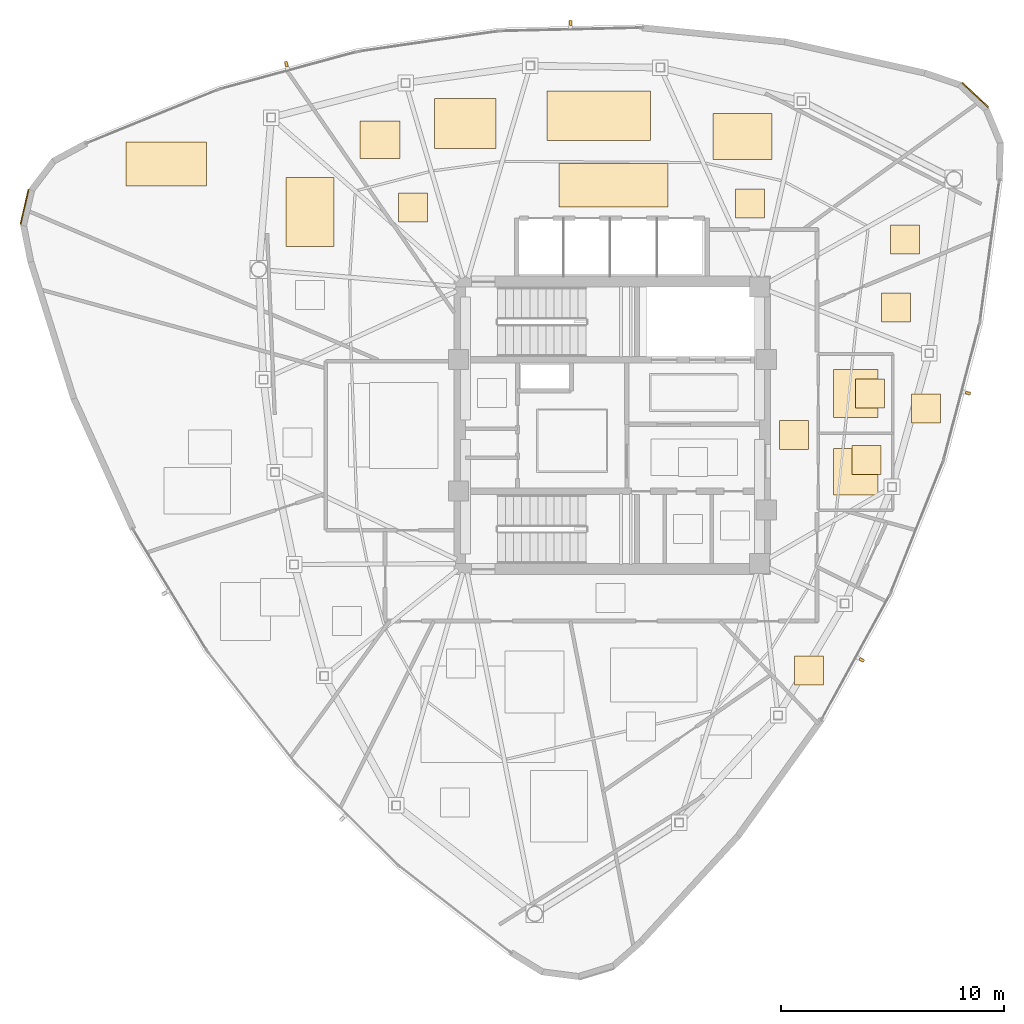
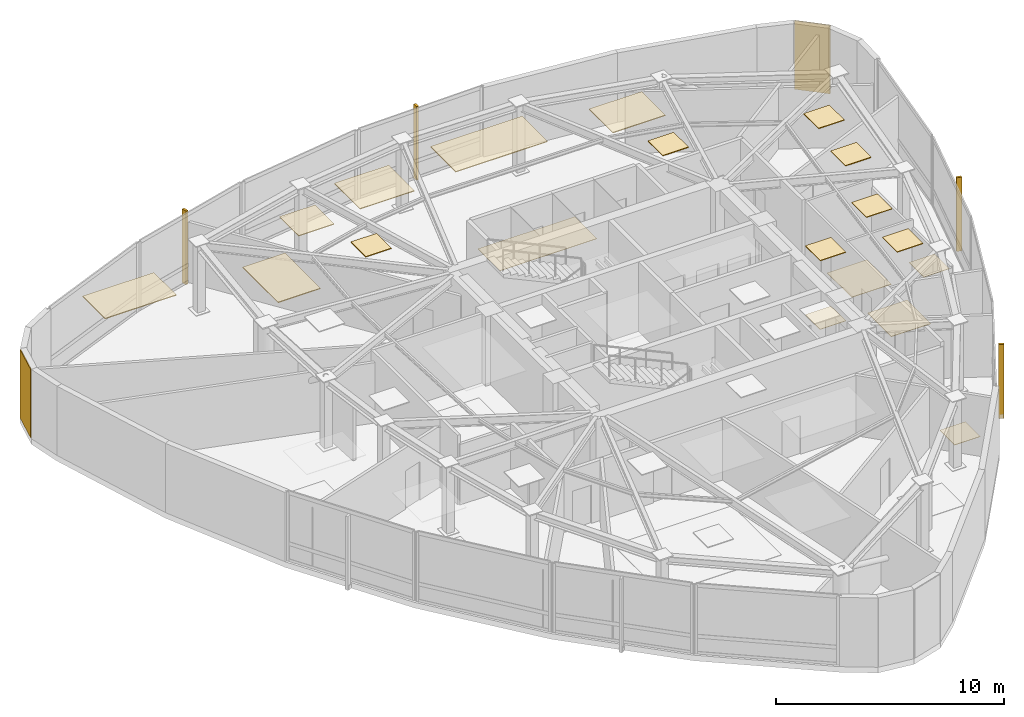
# One storey, part 12 of 12: 21 coverings, 4 shading devices.
"""IFC4 building model written with IfcOpenShell, lengths in metres."""

from ifc_helpers import new_model, si_unit, direction, frame, origin, origin_2d, place, context, subcontext, project, spatial, polyline, rectangle, outline, extrude, source, transform, mapped, material, layer, layer_set, type_object, type_shapes, element, save


model = new_model("IFC4")

# Units and contexts
model_context = context("Model", 3, precision=1e-05, world=origin(), true_north=direction((0.0, 1.0)))
body_context = subcontext(model_context, "Body", "Model", "MODEL_VIEW")
ifc_project = project(units=[si_unit("LENGTHUNIT", "METRE"), si_unit("AREAUNIT", "SQUARE_METRE"), si_unit("VOLUMEUNIT", "CUBIC_METRE"), si_unit("PLANEANGLEUNIT", "RADIAN"), si_unit("MASSUNIT", "GRAM", prefix="KILO")], contexts=[model_context])

# Site, building, storey
site_placement = place(None, origin())
site = spatial("IfcSite", under=ifc_project, at=site_placement, CompositionType="ELEMENT")
building_placement = place(site_placement, origin())
building = spatial("IfcBuilding", under=site, at=building_placement, Name="Tavelor Broadcast Tower", CompositionType="ELEMENT")
storey_placement = place(building_placement, frame((0.0, 0.0, 317.5)))
storey = spatial("IfcBuildingStorey", under=building, at=storey_placement, Name="L76", CompositionType="ELEMENT", Elevation=317.5)

# Coverings
ifc_material_1 = material(Name="Copper-Bronze Anodized Aluminium", Category="aluminium")
ifc_layer_1 = layer(ifc_material_1, 0.050048828125)
ifc_layer_set_1 = layer_set([ifc_layer_1], Name="Copper-Bronze Anodized Aluminium")
covering_type_1 = type_object("IfcCoveringType", Name="Champagne-Bronze Corner Pier Metal Cladding 50 mm", PredefinedType="CLADDING", material=ifc_layer_set_1)
for number, where, z_axis, x_axis, name in (
    (1, (23.62451171875, 54.802490234375, 0.02001953125), (0.0, 0.0, 1.0), (-0.225801266869, -0.97417338697, 0.0), "L76 Champagne-Bronze Corner Cladding 03"),
    (2, (66.277099609375, 59.822998046875, 0.02001953125), (0.0, 0.0, 1.0), (-0.730758267372, 0.6826363268, 0.0), "L76 Champagne-Bronze Corner Cladding 23"),
):
    element("IfcCovering", number, at=place(storey_placement, frame(where, z_axis=z_axis, x_axis=x_axis)), inside=storey, type_object=covering_type_1, Name=name, PredefinedType="CLADDING", context=body_context, shape_type="SweptSolid", body=[
        extrude(rectangle(XDim=1.593505859375, YDim=0.050048828125, at=origin_2d()), origin(), (0.0, 0.0, 1.0), 3.659912109375),
    ])
ifc_material_2 = material(Name="Architectural Anodized Aluminium", Category="aluminium")
ifc_layer_2 = layer(ifc_material_2, 0.034912109375)
ifc_layer_set_2 = layer_set([ifc_layer_2], Name="Architectural Anodized Aluminium")
covering_type_2 = type_object("IfcCoveringType", Name="Demountable Metal Tile Corridor Ceiling 35 mm", PredefinedType="CEILING", material=ifc_layer_set_2)
covering_1_placement = place(storey_placement, frame((0.0, 0.0, 3.6650390625)))
element("IfcCovering", 3, at=covering_1_placement, inside=storey, type_object=covering_type_2, Name="L76 Suspended Acoustic Ceiling 2856", PredefinedType="CEILING", context=body_context, shape_type="SweptSolid", body=[
    extrude(outline(polyline([(57.489990234375, 43.925048828125), (58.7900390625, 43.925048828125), (58.7900390625, 45.22509765625), (57.489990234375, 45.22509765625), (57.489990234375, 43.925048828125)])), origin(), (0.0, 0.0, 1.0), 0.034912109375),
])
ifc_material_3 = material(Name="Acoustic Nylon Carpet Tile")
ifc_layer_3 = layer(ifc_material_3, 0.02001953125)
ifc_layer_set_3 = layer_set([ifc_layer_3], Name="Acoustic Nylon Carpet Tile")
covering_type_3 = type_object("IfcCoveringType", Name="Heavy-Duty Acoustic Broadcast Carpet Tile 20 mm", PredefinedType="FLOORING", material=ifc_layer_set_3)
covering_2_placement = place(storey_placement, origin())
element("IfcCovering", 4, at=covering_2_placement, inside=storey, type_object=covering_type_3, Name="L76 Broadcast Floor Finish 1128", PredefinedType="FLOORING", context=body_context, shape_type="SweptSolid", body=[
    extrude(outline(polyline([(57.489990234375, 43.925048828125), (58.7900390625, 43.925048828125), (58.7900390625, 45.22509765625), (57.489990234375, 45.22509765625), (57.489990234375, 43.925048828125)])), origin(), (0.0, 0.0, 1.0), 0.02001953125),
])
covering_3_placement = place(storey_placement, origin())
element("IfcCovering", 5, at=covering_3_placement, inside=storey, type_object=covering_type_3, Name="L76 Broadcast Floor Finish 1132", PredefinedType="FLOORING", context=body_context, shape_type="SweptSolid", body=[
    extrude(outline(polyline([(63.4111328125, 45.107177734375), (64.711181640625, 45.107177734375), (64.711181640625, 46.406982421875), (63.4111328125, 46.406982421875), (63.4111328125, 45.107177734375)])), origin(), (0.0, 0.0, 1.0), 0.02001953125),
])
covering_4_placement = place(storey_placement, origin())
element("IfcCovering", 6, at=covering_4_placement, inside=storey, type_object=covering_type_3, Name="L76 Broadcast Floor Finish 1133", PredefinedType="FLOORING", context=body_context, shape_type="SweptSolid", body=[
    extrude(outline(polyline([(58.177001953125, 33.343017578125), (59.47705078125, 33.343017578125), (59.47705078125, 34.64306640625), (58.177001953125, 34.64306640625), (58.177001953125, 33.343017578125)])), origin(), (0.0, 0.0, 1.0), 0.02001953125),
])
covering_5_placement = place(storey_placement, origin())
element("IfcCovering", 7, at=covering_5_placement, inside=storey, type_object=covering_type_3, Name="L76 Broadcast Floor Finish 1138", PredefinedType="FLOORING", context=body_context, shape_type="SweptSolid", body=[
    extrude(outline(polyline([(47.59619140625, 54.80712890625), (52.48681640625, 54.80712890625), (52.48681640625, 56.740234375), (47.59619140625, 56.740234375), (47.59619140625, 54.80712890625)])), origin(), (0.0, 0.0, 1.0), 0.02001953125),
])
ifc_layer_4 = layer(ifc_material_2, 0.030029296875)
ifc_layer_set_4 = layer_set([ifc_layer_4], Name="Architectural Anodized Aluminium")
covering_type_4 = type_object("IfcCoveringType", Name="Moisture-Resistant Washroom Ceiling 30 mm", PredefinedType="CEILING", material=ifc_layer_set_4)
covering_6_placement = place(storey_placement, frame((0.0, 0.0, 3.669921875)))
element("IfcCovering", 8, at=covering_6_placement, inside=storey, type_object=covering_type_4, Name="L76 Suspended Acoustic Ceiling 2859", PredefinedType="CEILING", context=body_context, shape_type="SweptSolid", body=[
    extrude(outline(polyline([(60.739013671875, 42.806884765625), (62.0390625, 42.806884765625), (62.0390625, 44.106689453125), (60.739013671875, 44.106689453125), (60.739013671875, 42.806884765625)])), origin(), (0.0, 0.0, 1.0), 0.030029296875),
])
covering_7_placement = place(storey_placement, frame((0.0, 0.0, 3.669921875)))
element("IfcCovering", 9, at=covering_7_placement, inside=storey, type_object=covering_type_4, Name="L76 Suspended Acoustic Ceiling 2860", PredefinedType="CEILING", context=body_context, shape_type="SweptSolid", body=[
    extrude(outline(polyline([(60.898681640625, 45.77490234375), (62.19873046875, 45.77490234375), (62.19873046875, 47.074951171875), (60.898681640625, 47.074951171875), (60.898681640625, 45.77490234375)])), origin(), (0.0, 0.0, 1.0), 0.030029296875),
])
ifc_material_4 = material(Name="Slip-Resistant Porcelain Tile")
ifc_layer_5 = layer(ifc_material_4, 0.02490234375)
ifc_layer_set_5 = layer_set([ifc_layer_5], Name="Slip-Resistant Porcelain Tile")
covering_type_5 = type_object("IfcCoveringType", Name="Slip-Resistant Porcelain Wet-Area Floor Tile 25 mm", PredefinedType="FLOORING", material=ifc_layer_set_5)
covering_8_placement = place(storey_placement, origin())
element("IfcCovering", 10, at=covering_8_placement, inside=storey, type_object=covering_type_5, Name="L76 Broadcast Floor Finish 1130", PredefinedType="FLOORING", context=body_context, shape_type="SweptSolid", body=[
    extrude(outline(polyline([(59.91064453125, 41.885986328125), (61.909423828125, 41.885986328125), (61.909423828125, 43.964111328125), (59.91064453125, 43.964111328125), (59.91064453125, 41.885986328125)])), origin(), (0.0, 0.0, 1.0), 0.02490234375),
])
covering_9_placement = place(storey_placement, origin())
element("IfcCovering", 11, at=covering_9_placement, inside=storey, type_object=covering_type_5, Name="L76 Broadcast Floor Finish 1131", PredefinedType="FLOORING", context=body_context, shape_type="SweptSolid", body=[
    extrude(outline(polyline([(59.91064453125, 45.35009765625), (61.909423828125, 45.35009765625), (61.909423828125, 47.5), (59.91064453125, 47.5), (59.91064453125, 45.35009765625)])), origin(), (0.0, 0.0, 1.0), 0.02490234375),
])
ifc_material_5 = material(Name="Acoustic Mineral Fibre Tile")
ifc_layer_6 = layer(ifc_material_5, 0.0400390625)
ifc_layer_set_6 = layer_set([ifc_layer_6], Name="Acoustic Mineral Fibre Tile")
covering_type_6 = type_object("IfcCoveringType", Name="Suspended Acoustic Mineral-Fibre Office Ceiling 40 mm", PredefinedType="CEILING", material=ifc_layer_set_6)
covering_10_placement = place(storey_placement, frame((0.0, 0.0, 3.659912109375)))
element("IfcCovering", 12, at=covering_10_placement, inside=storey, type_object=covering_type_6, Name="L76 Suspended Acoustic Ceiling 2861", PredefinedType="CEILING", context=body_context, shape_type="SweptSolid", body=[
    extrude(outline(polyline([(62.473388671875, 52.69482421875), (63.773193359375, 52.69482421875), (63.773193359375, 53.994873046875), (62.473388671875, 53.994873046875), (62.473388671875, 52.69482421875)])), origin(), (0.0, 0.0, 1.0), 0.0400390625),
])
covering_11_placement = place(storey_placement, frame((0.0, 0.0, 3.659912109375)))
element("IfcCovering", 13, at=covering_11_placement, inside=storey, type_object=covering_type_6, Name="L76 Suspended Acoustic Ceiling 2862", PredefinedType="CEILING", context=body_context, shape_type="SweptSolid", body=[
    extrude(outline(polyline([(62.0703125, 49.641845703125), (63.3701171875, 49.641845703125), (63.3701171875, 50.94189453125), (62.0703125, 50.94189453125), (62.0703125, 49.641845703125)])), origin(), (0.0, 0.0, 1.0), 0.0400390625),
])
covering_12_placement = place(storey_placement, frame((0.0, 0.0, 3.659912109375)))
element("IfcCovering", 14, at=covering_12_placement, inside=storey, type_object=covering_type_6, Name="L76 Suspended Acoustic Ceiling 2871", PredefinedType="CEILING", context=body_context, shape_type="SweptSolid", body=[
    extrude(outline(polyline([(28.17578125, 55.74560546875), (31.776611328125, 55.74560546875), (31.776611328125, 57.716064453125), (28.17578125, 57.716064453125), (28.17578125, 55.74560546875)])), origin(), (0.0, 0.0, 1.0), 0.0400390625),
])
covering_13_placement = place(storey_placement, frame((0.0, 0.0, 3.659912109375)))
element("IfcCovering", 15, at=covering_13_placement, inside=storey, type_object=covering_type_6, Name="L76 Suspended Acoustic Ceiling 2873", PredefinedType="CEILING", context=body_context, shape_type="SweptSolid", body=[
    extrude(outline(polyline([(35.3466796875, 53.028564453125), (37.49853515625, 53.028564453125), (37.49853515625, 56.131103515625), (35.3466796875, 56.131103515625), (35.3466796875, 53.028564453125)])), origin(), (0.0, 0.0, 1.0), 0.0400390625),
])
covering_14_placement = place(storey_placement, frame((0.0, 0.0, 3.659912109375)))
element("IfcCovering", 16, at=covering_14_placement, inside=storey, type_object=covering_type_6, Name="L76 Suspended Acoustic Ceiling 2874", PredefinedType="CEILING", context=body_context, shape_type="SweptSolid", body=[
    extrude(outline(polyline([(54.51318359375, 56.919189453125), (57.16796875, 56.919189453125), (57.16796875, 58.997314453125), (54.51318359375, 58.997314453125), (54.51318359375, 56.919189453125)])), origin(), (0.0, 0.0, 1.0), 0.0400390625),
])
covering_15_placement = place(storey_placement, frame((0.0, 0.0, 3.659912109375)))
element("IfcCovering", 17, at=covering_15_placement, inside=storey, type_object=covering_type_6, Name="L76 Suspended Acoustic Ceiling 2875", PredefinedType="CEILING", context=body_context, shape_type="SweptSolid", body=[
    extrude(outline(polyline([(55.5302734375, 54.3076171875), (56.830078125, 54.3076171875), (56.830078125, 55.607666015625), (55.5302734375, 55.607666015625), (55.5302734375, 54.3076171875)])), origin(), (0.0, 0.0, 1.0), 0.0400390625),
])
covering_16_placement = place(storey_placement, frame((0.0, 0.0, 3.659912109375)))
element("IfcCovering", 18, at=covering_16_placement, inside=storey, type_object=covering_type_6, Name="L76 Suspended Acoustic Ceiling 2876", PredefinedType="CEILING", context=body_context, shape_type="SweptSolid", body=[
    extrude(outline(polyline([(40.410400390625, 54.126220703125), (41.71044921875, 54.126220703125), (41.71044921875, 55.42626953125), (40.410400390625, 55.42626953125), (40.410400390625, 54.126220703125)])), origin(), (0.0, 0.0, 1.0), 0.0400390625),
])
covering_17_placement = place(storey_placement, frame((0.0, 0.0, 3.659912109375)))
element("IfcCovering", 19, at=covering_17_placement, inside=storey, type_object=covering_type_6, Name="L76 Suspended Acoustic Ceiling 2877", PredefinedType="CEILING", context=body_context, shape_type="SweptSolid", body=[
    extrude(outline(polyline([(38.668701171875, 56.980712890625), (40.458251953125, 56.980712890625), (40.458251953125, 58.65576171875), (38.668701171875, 58.65576171875), (38.668701171875, 56.980712890625)])), origin(), (0.0, 0.0, 1.0), 0.0400390625),
])
covering_18_placement = place(storey_placement, frame((0.0, 0.0, 3.659912109375)))
element("IfcCovering", 20, at=covering_18_placement, inside=storey, type_object=covering_type_6, Name="L76 Suspended Acoustic Ceiling 2878", PredefinedType="CEILING", context=body_context, shape_type="SweptSolid", body=[
    extrude(outline(polyline([(42.02392578125, 57.420166015625), (44.780517578125, 57.420166015625), (44.780517578125, 59.66748046875), (42.02392578125, 59.66748046875), (42.02392578125, 57.420166015625)])), origin(), (0.0, 0.0, 1.0), 0.0400390625),
])
covering_19_placement = place(storey_placement, frame((0.0, 0.0, 3.659912109375)))
element("IfcCovering", 21, at=covering_19_placement, inside=storey, type_object=covering_type_6, Name="L76 Suspended Acoustic Ceiling 2879", PredefinedType="CEILING", context=body_context, shape_type="SweptSolid", body=[
    extrude(outline(polyline([(47.069580078125, 57.77392578125), (51.702880859375, 57.77392578125), (51.702880859375, 59.9912109375), (47.069580078125, 59.9912109375), (47.069580078125, 57.77392578125)])), origin(), (0.0, 0.0, 1.0), 0.0400390625),
])

# Shading devices
ifc_material_6 = material(Name="Kiln-Fired Glazed Terracotta", Category="masonry")
shading_device_type = type_object("IfcShadingDeviceType", Name="Extruded Terracotta Baguette Sun-Screen 110x240", PredefinedType="JALOUSIE", material=ifc_material_6)
shared_shape = source(origin(), body_context, "Body", "SweptSolid", [
    extrude(rectangle(XDim=0.110107421875, YDim=0.239990234375, at=origin_2d()), origin(), (0.0, 0.0, 1.0), 3.93994140625),
])
type_shapes(shading_device_type, [shared_shape])
for number, where, z_axis, x_axis, name in (
    (22, (61.185302734375, 34.47607421875, -0.260009765625), (0.0, 0.0, 1.0), (0.479917286421, 0.877313739887, 0.0), "L76 Terracotta Baguette Fin 729"),
    (23, (65.95458984375, 46.445068359375, -0.260009765625), (0.0, 0.0, 1.0), (0.2549394954, 0.966957007154, 0.0), "L76 Terracotta Baguette Fin 730"),
    (24, (48.12109375, 63.06640625, -0.260009765625), (0.0, 0.0, 1.0), (-0.999730593221, -0.023210794445, 0.0), "L76 Terracotta Baguette Fin 731"),
    (25, (35.37109375, 61.212158203125, -0.260009765625), (0.0, 0.0, 1.0), (-0.964879080263, -0.262694424132, 0.0), "L76 Terracotta Baguette Fin 732"),
):
    element("IfcShadingDevice", number, at=place(storey_placement, frame(where, z_axis=z_axis, x_axis=x_axis)), inside=storey, type_object=shading_device_type, Name=name, PredefinedType="JALOUSIE", context=body_context, shape_type="MappedRepresentation", body=[
        mapped(shared_shape, transform((0.0, 0.0, 0.0), scale=1.0)),
    ])

save(model, "model.ifc")
